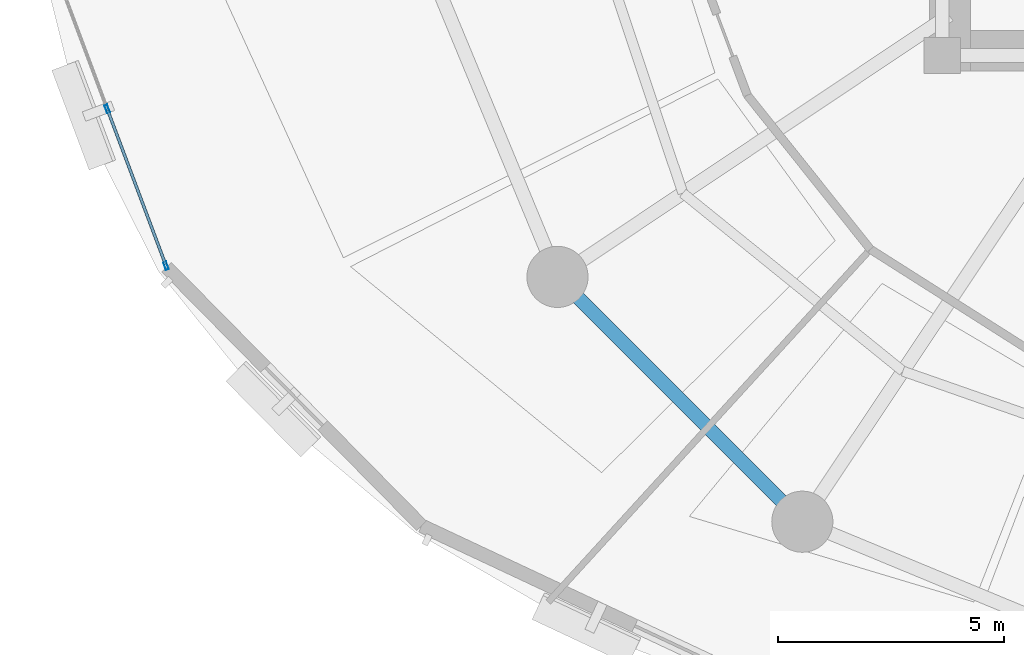
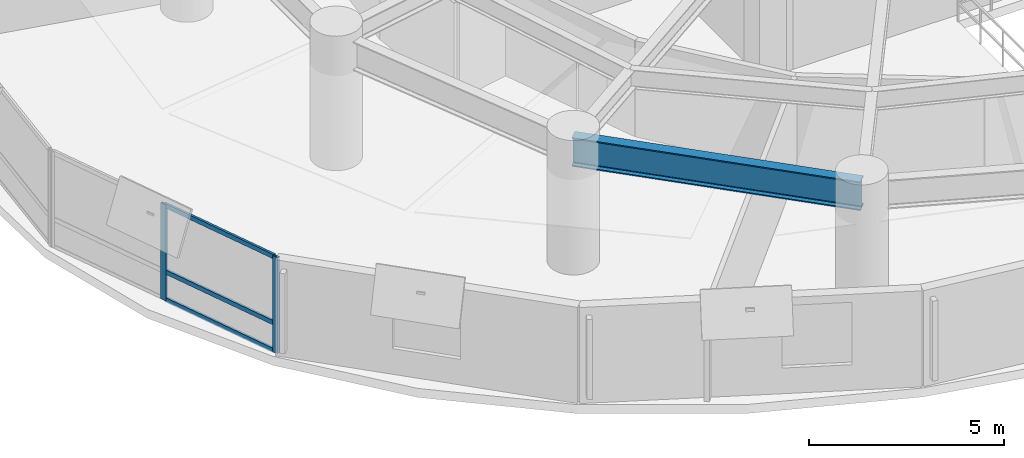
# One storey, part 2 of 17: 5 members, 1 beam, 1 element without a shape of its own.
"""IFC4 building model written with IfcOpenShell, lengths in metres."""

from ifc_helpers import new_model, si_unit, direction, frame, origin, origin_2d, place, context, subcontext, project, spatial, hollow_rectangle, i_section, extrude, material, layer, layer_set, material_profile, profile_set, type_object, element, aggregate, save


model = new_model("IFC4")

# Units and contexts
model_context = context("Model", 3, precision=1e-05, world=origin(), true_north=direction((0.0, 1.0)))
body_context = subcontext(model_context, "Body", "Model", "MODEL_VIEW")
ifc_project = project(units=[si_unit("LENGTHUNIT", "METRE"), si_unit("AREAUNIT", "SQUARE_METRE"), si_unit("VOLUMEUNIT", "CUBIC_METRE"), si_unit("PLANEANGLEUNIT", "RADIAN"), si_unit("MASSUNIT", "GRAM", prefix="KILO"), si_unit("THERMODYNAMICTEMPERATUREUNIT", "KELVIN"), si_unit("POWERUNIT", "WATT")], contexts=[model_context])

# Site, building, storey
site_placement = place(None, origin())
site = spatial("IfcSite", under=ifc_project, at=site_placement, CompositionType="ELEMENT")
building_placement = place(site_placement, origin())
building = spatial("IfcBuilding", under=site, at=building_placement, Name="Ocrelia Relay Tower", CompositionType="ELEMENT")
storey_placement = place(building_placement, frame((0.0, 0.0, 63.60009765625)))
storey = spatial("IfcBuildingStorey", under=building, at=storey_placement, Name="L14", CompositionType="ELEMENT", Elevation=63.60009765625)

# Beam
ifc_material_1 = material(Name="Steel S355", Category="steel")
ifc_material_profile_1 = material_profile(ifc_material_1, i_section(OverallWidth=0.300048828125, OverallDepth=0.89990234375, WebThickness=0.0185546875, FlangeThickness=0.034912109375, FilletRadius=0.030029296875, at=origin_2d()), Name="HEB 900")
ifc_profile_set_1 = profile_set([ifc_material_profile_1], Name="Steel S355")
beam_type = type_object("IfcBeamType", Name="BM-HEB900", PredefinedType="BEAM", material=ifc_profile_set_1)
beam_placement = place(storey_placement, frame((17.703125, 15.11083984375, 3.469970703125), z_axis=(0.707106781187, -0.707106781187, 0.0), x_axis=(0.707106781187, 0.707106781187, 0.0)))
element("IfcBeam", 1, at=beam_placement, inside=storey, type_object=beam_type, Name="L14 Perimeter Spandrel Beam S10", PredefinedType="BEAM", context=body_context, shape_type="SweptSolid", body=[
    extrude(i_section(OverallWidth=0.300048828125, OverallDepth=0.89990234375, WebThickness=0.0185546875, FlangeThickness=0.034912109375, FilletRadius=0.030029296875, at=origin_2d()), origin(), (0.0, 0.0, 1.0), 7.647705078125),
])

# Curtain wall, members
ifc_material_2 = material(Name="Aluminium and solar-control low-E glass", Category="aluminium")
ifc_layer = layer(ifc_material_2, 0.179931640625, Name="Aluminium and solar-control low-E glass")
ifc_layer_set = layer_set([ifc_layer], Name="Aluminium and solar-control low-E glass")
curtain_wall_type = type_object("IfcCurtainWallType", Name="CW-SYS-Z1-DATA", PredefinedType="NOTDEFINED", material=ifc_layer_set)
curtain_wall_placement = place(storey_placement, origin())
curtain_wall = element("IfcCurtainWall", 2, at=curtain_wall_placement, inside=storey, type_object=curtain_wall_type, Name="L14 Elliptical Tower Curtain Wall Bay 10", PredefinedType="NOTDEFINED")
ifc_material_3 = material(Name="Anodised bronze aluminium", Category="aluminium")
ifc_material_profile_2 = material_profile(ifc_material_3, hollow_rectangle(XDim=0.070068359375, YDim=0.179931640625, WallThickness=0.006103515625, at=origin_2d()), Name="CW-MUL-180x70")
ifc_profile_set_2 = profile_set([ifc_material_profile_2], Name="Anodised bronze aluminium")
member_type_1 = type_object("IfcMemberType", Name="CW-SYS-Z1-DATA-MUL", PredefinedType="MULLION", material=ifc_profile_set_2)
member_1_placement = place(storey_placement, frame((7.7568359375, 18.82373046875, 0.0), z_axis=(0.0, 0.0, 1.0), x_axis=(0.936304436743, 0.351189410055, 0.0)))
member_1 = element("IfcMember", 3, at=member_1_placement, type_object=member_type_1, Name="CW-Z1 mullion 2", PredefinedType="MULLION", context=body_context, shape_type="SweptSolid", body=[
    extrude(hollow_rectangle(XDim=0.070068359375, YDim=0.179931640625, WallThickness=0.006103515625, at=origin_2d()), origin(), (0.0, 0.0, 1.0), 3.0),
])
member_2_placement = place(storey_placement, frame((9.05712890625, 15.356689453125, 0.0), z_axis=(0.0, 0.0, 1.0), x_axis=(0.936304436743, 0.351189410055, 0.0)))
member_2 = element("IfcMember", 4, at=member_2_placement, type_object=member_type_1, Name="CW-Z1 mullion 3", PredefinedType="MULLION", context=body_context, shape_type="SweptSolid", body=[
    extrude(hollow_rectangle(XDim=0.070068359375, YDim=0.179931640625, WallThickness=0.006103515625, at=origin_2d()), origin(), (0.0, 0.0, 1.0), 3.0),
])
ifc_material_profile_3 = material_profile(ifc_material_3, hollow_rectangle(XDim=0.06494140625, YDim=0.139892578125, WallThickness=0.0048828125, at=origin_2d()), Name="CW-TRN-140x65")
ifc_profile_set_3 = profile_set([ifc_material_profile_3], Name="Anodised bronze aluminium")
member_type_2 = type_object("IfcMemberType", Name="CW-SYS-Z1-DATA-TRN", PredefinedType="USERDEFINED", material=ifc_profile_set_3)
member_3_placement = place(storey_placement, frame((7.76904296875, 18.790771484375, 0.032470703125), z_axis=(0.351233919593, -0.936287740883, 0.0), x_axis=(0.936287740883, 0.351233919593, 0.0)))
member_3 = element("IfcMember", 5, at=member_3_placement, type_object=member_type_2, Name="CW-Z1 transom 2.1", ObjectType="TRANSOM", PredefinedType="USERDEFINED", context=body_context, shape_type="SweptSolid", body=[
    extrude(hollow_rectangle(XDim=0.06494140625, YDim=0.139892578125, WallThickness=0.0048828125, at=origin_2d()), origin(), (0.0, 0.0, 1.0), 3.632568359375),
])
member_4_placement = place(storey_placement, frame((7.76904296875, 18.790771484375, 0.89990234375), z_axis=(0.351233919593, -0.936287740883, 0.0), x_axis=(0.936287740883, 0.351233919593, 0.0)))
member_4 = element("IfcMember", 6, at=member_4_placement, type_object=member_type_2, Name="CW-Z1 transom 2.2", ObjectType="TRANSOM", PredefinedType="USERDEFINED", context=body_context, shape_type="SweptSolid", body=[
    extrude(hollow_rectangle(XDim=0.06494140625, YDim=0.139892578125, WallThickness=0.0048828125, at=origin_2d()), origin(), (0.0, 0.0, 1.0), 3.632568359375),
])
member_5_placement = place(storey_placement, frame((7.76904296875, 18.790771484375, 2.96728515625), z_axis=(0.351233919593, -0.936287740883, 0.0), x_axis=(0.936287740883, 0.351233919593, 0.0)))
member_5 = element("IfcMember", 7, at=member_5_placement, type_object=member_type_2, Name="CW-Z1 transom 2.3", ObjectType="TRANSOM", PredefinedType="USERDEFINED", context=body_context, shape_type="SweptSolid", body=[
    extrude(hollow_rectangle(XDim=0.06494140625, YDim=0.139892578125, WallThickness=0.0048828125, at=origin_2d()), origin(), (0.0, 0.0, 1.0), 3.632568359375),
])
aggregate(curtain_wall, [member_1, member_2, member_3, member_4, member_5])

save(model, "model.ifc")
